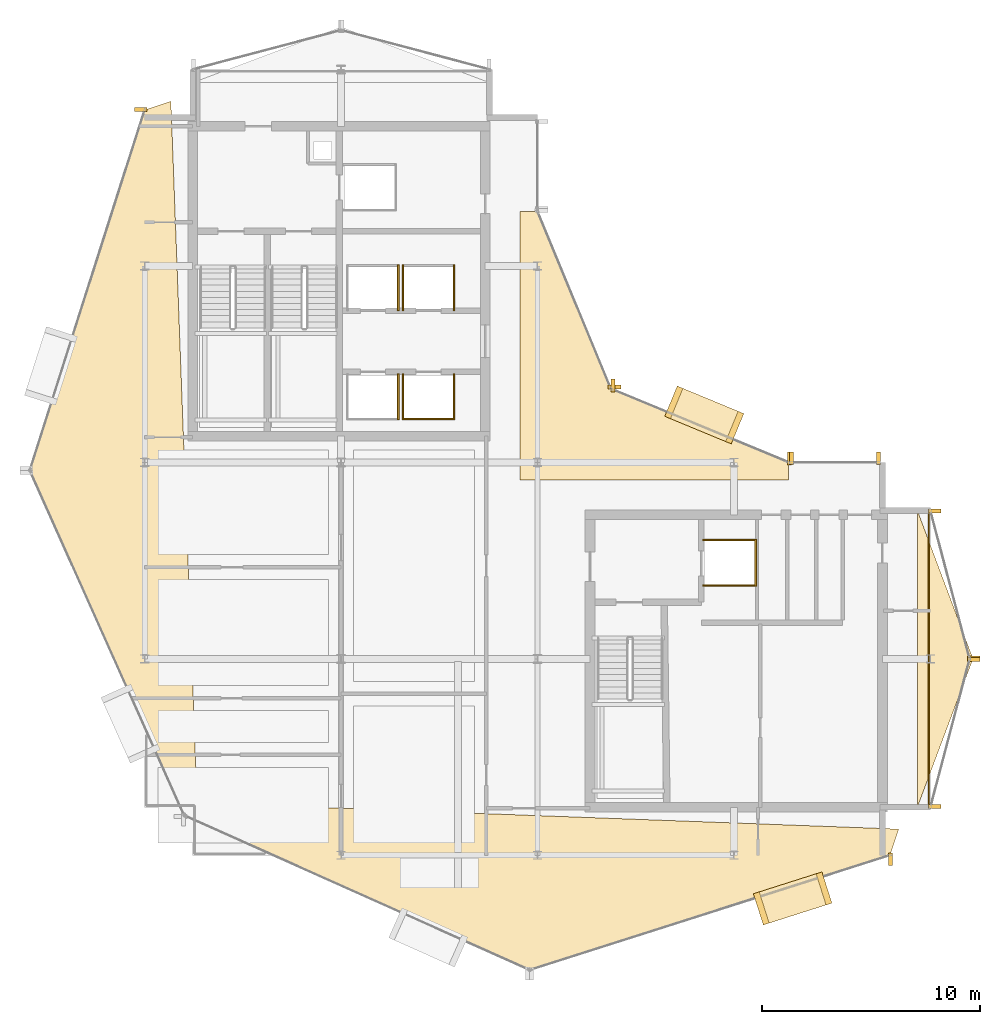
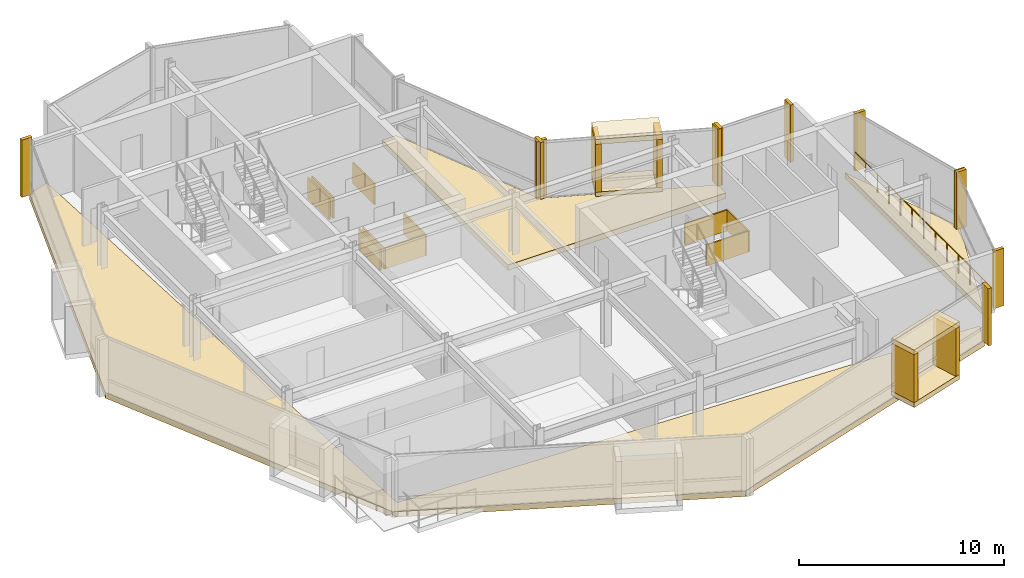
# One storey, part 18 of 19: 32 coverings, 1 railing.
"""IFC4 building model written with IfcOpenShell, lengths in metres."""

from ifc_helpers import new_model, si_unit, direction, frame, origin, origin_2d, place, context, subcontext, project, spatial, polyline, rectangle, circle, outline, extrude, material, layer, layer_set, type_object, element, save


model = new_model("IFC4")

# Units and contexts
model_context = context("Model", 3, precision=1e-05, world=origin(), true_north=direction((0.0, 1.0)))
body_context = subcontext(model_context, "Body", "Model", "MODEL_VIEW")
ifc_project = project(units=[si_unit("LENGTHUNIT", "METRE"), si_unit("AREAUNIT", "SQUARE_METRE"), si_unit("VOLUMEUNIT", "CUBIC_METRE"), si_unit("PLANEANGLEUNIT", "RADIAN"), si_unit("MASSUNIT", "GRAM", prefix="KILO")], contexts=[model_context])

# Site, building, storey
site_placement = place(None, origin())
site = spatial("IfcSite", under=ifc_project, at=site_placement, CompositionType="ELEMENT")
building_placement = place(site_placement, origin())
building = spatial("IfcBuilding", under=site, at=building_placement, Name="Solvaryn Broadcast Tower", CompositionType="ELEMENT")
storey_placement = place(building_placement, frame((0.0, 0.0, 240.800048828125)))
storey = spatial("IfcBuildingStorey", under=building, at=storey_placement, Name="L60", CompositionType="ELEMENT", Elevation=240.800048828125)

# Coverings
ifc_material_1 = material(Name="Fire-Rated Gypsum Shaftwall Liner", Category="concrete")
ifc_layer_1 = layer(ifc_material_1, 0.080078125)
ifc_layer_set_1 = layer_set([ifc_layer_1], Name="CV-SHAFT-LINER")
covering_type_1 = type_object("IfcCoveringType", Name="CV-SHAFT-LINER", PredefinedType="CLADDING", material=ifc_layer_set_1)
covering_1_placement = place(storey_placement, frame((20.614990234375, 30.0, 0.0), z_axis=(0.0, 0.0, 1.0), x_axis=(1.0, 0.0, 0.0)))
element("IfcCovering", 1, at=covering_1_placement, inside=storey, type_object=covering_type_1, Name="L60 PH1 Hoistway Shaft Liner East", PredefinedType="CLADDING", context=body_context, shape_type="SweptSolid", body=[
    extrude(rectangle(XDim=0.080078125, YDim=2.110107421875, at=origin_2d()), origin(), (0.0, 0.0, 1.0), 1.25),
])
covering_2_placement = place(storey_placement, frame((22.0, 28.985107421875, 0.0), z_axis=(0.0, 0.0, 1.0), x_axis=(1.0, 0.0, 0.0)))
element("IfcCovering", 2, at=covering_2_placement, inside=storey, type_object=covering_type_1, Name="L60 PH2 Hoistway Shaft Liner South", PredefinedType="CLADDING", context=body_context, shape_type="SweptSolid", body=[
    extrude(rectangle(XDim=2.409912109375, YDim=0.080078125, at=origin_2d()), origin(), (0.0, 0.0, 1.0), 1.25),
])
for number, where, z_axis, x_axis, name in (
    (3, (23.1650390625, 30.0, 0.0), (0.0, 0.0, 1.0), (1.0, 0.0, 0.0), "L60 PH2 Hoistway Shaft Liner East"),
    (4, (20.8349609375, 30.0, 0.0), (0.0, 0.0, 1.0), (1.0, 0.0, 0.0), "L60 PH2 Hoistway Shaft Liner West"),
    (5, (20.614990234375, 35.0, 0.0), (0.0, 0.0, 1.0), (1.0, 0.0, 0.0), "L60 PH3 Hoistway Shaft Liner East"),
    (6, (23.1650390625, 35.0, 0.0), (0.0, 0.0, 1.0), (1.0, 0.0, 0.0), "L60 PH4 Hoistway Shaft Liner East"),
    (7, (20.8349609375, 35.0, 0.0), (0.0, 0.0, 1.0), (1.0, 0.0, 0.0), "L60 PH4 Hoistway Shaft Liner West"),
):
    element("IfcCovering", number, at=place(storey_placement, frame(where, z_axis=z_axis, x_axis=x_axis)), inside=storey, type_object=covering_type_1, Name=name, PredefinedType="CLADDING", context=body_context, shape_type="SweptSolid", body=[
        extrude(rectangle(XDim=0.080078125, YDim=2.110107421875, at=origin_2d()), origin(), (0.0, 0.0, 1.0), 1.25),
    ])
for number, where, z_axis, x_axis, name in (
    (8, (35.800048828125, 23.43994140625, 0.0), (0.0, 0.0, 1.0), (1.0, 0.0, 0.0), "L60 FL2 Hoistway Shaft Liner North"),
    (9, (35.800048828125, 21.360107421875, 0.0), (0.0, 0.0, 1.0), (1.0, 0.0, 0.0), "L60 FL2 Hoistway Shaft Liner South"),
):
    element("IfcCovering", number, at=place(storey_placement, frame(where, z_axis=z_axis, x_axis=x_axis)), inside=storey, type_object=covering_type_1, Name=name, PredefinedType="CLADDING", context=body_context, shape_type="SweptSolid", body=[
        extrude(rectangle(XDim=2.4599609375, YDim=0.080078125, at=origin_2d()), origin(), (0.0, 0.0, 1.0), 1.25),
    ])
covering_3_placement = place(storey_placement, frame((36.989990234375, 22.39990234375, 0.0), z_axis=(0.0, 0.0, 1.0), x_axis=(1.0, 0.0, 0.0)))
element("IfcCovering", 10, at=covering_3_placement, inside=storey, type_object=covering_type_1, Name="L60 FL2 Hoistway Shaft Liner East", PredefinedType="CLADDING", context=body_context, shape_type="SweptSolid", body=[
    extrude(rectangle(XDim=0.080078125, YDim=2.159912109375, at=origin_2d()), origin(), (0.0, 0.0, 1.0), 1.25),
])
ifc_material_2 = material(Name="Glazed Architectural Terracotta Rainscreen Cladding", Category="masonry")
ifc_layer_2 = layer(ifc_material_2, 0.280029296875)
ifc_layer_set_2 = layer_set([ifc_layer_2], Name="CV-TC-CLAD")
covering_type_2 = type_object("IfcCoveringType", Name="CV-TC-CLAD", PredefinedType="CLADDING", material=ifc_layer_set_2)
for number, where, z_axis, x_axis, name in (
    (11, (38.68603515625, 7.02197265625, 3.1298828125), (0.0, 0.0, 1.0), (0.952820541996, 0.303534206887, 0.0), "L60 Projecting Stone Window Box Hood 4"),
    (12, (38.68603515625, 7.02197265625, -0.01025390625), (0.0, 0.0, 1.0), (0.952820541996, 0.303534206887, 0.0), "L60 Projecting Stone Window Box Sill 4"),
):
    element("IfcCovering", number, at=place(storey_placement, frame(where, z_axis=z_axis, x_axis=x_axis)), inside=storey, type_object=covering_type_2, Name=name, PredefinedType="CLADDING", context=body_context, shape_type="SweptSolid", body=[
        extrude(rectangle(XDim=3.300048828125, YDim=1.5, at=origin_2d()), origin(), (0.0, 0.0, 1.0), 0.300048828125),
    ])
for number, where, z_axis, x_axis, name in (
    (13, (37.247314453125, 6.563720703125, 0.27978515625), (0.0, 0.0, 1.0), (0.952820541996, 0.303534206887, 0.0), "L60 Projecting Stone Window Box Cheek 4-1"),
    (14, (40.124755859375, 7.480224609375, 0.27978515625), (0.0, 0.0, 1.0), (0.952820541996, 0.303534206887, 0.0), "L60 Projecting Stone Window Box Cheek 4-2"),
):
    element("IfcCovering", number, at=place(storey_placement, frame(where, z_axis=z_axis, x_axis=x_axis)), inside=storey, type_object=covering_type_2, Name=name, PredefinedType="CLADDING", context=body_context, shape_type="SweptSolid", body=[
        extrude(rectangle(XDim=0.280029296875, YDim=1.5, at=origin_2d()), origin(), (0.0, 0.0, 1.0), 2.860107421875),
    ])
for number, where, z_axis, x_axis, name in (
    (15, (34.636962890625, 29.174072265625, 3.1298828125), (0.0, 0.0, 1.0), (-0.923879532511, 0.382683432365, 0.0), "L60 Projecting Stone Window Box Hood 5"),
    (16, (34.636962890625, 29.174072265625, -0.01025390625), (0.0, 0.0, 1.0), (-0.923879532511, 0.382683432365, 0.0), "L60 Projecting Stone Window Box Sill 5"),
):
    element("IfcCovering", number, at=place(storey_placement, frame(where, z_axis=z_axis, x_axis=x_axis)), inside=storey, type_object=covering_type_2, Name=name, PredefinedType="CLADDING", context=body_context, shape_type="SweptSolid", body=[
        extrude(rectangle(XDim=3.300048828125, YDim=1.5, at=origin_2d()), origin(), (0.0, 0.0, 1.0), 0.300048828125),
    ])
for number, where, z_axis, x_axis, name in (
    (17, (36.031982421875, 28.59619140625, 0.27978515625), (0.0, 0.0, 1.0), (-0.923879532511, 0.382683432365, 0.0), "L60 Projecting Stone Window Box Cheek 5-1"),
    (18, (33.241943359375, 29.751953125, 0.27978515625), (0.0, 0.0, 1.0), (-0.923879532511, 0.382683432365, 0.0), "L60 Projecting Stone Window Box Cheek 5-2"),
):
    element("IfcCovering", number, at=place(storey_placement, frame(where, z_axis=z_axis, x_axis=x_axis)), inside=storey, type_object=covering_type_2, Name=name, PredefinedType="CLADDING", context=body_context, shape_type="SweptSolid", body=[
        extrude(rectangle(XDim=0.280029296875, YDim=1.5, at=origin_2d()), origin(), (0.0, 0.0, 1.0), 2.860107421875),
    ])
ifc_material_3 = material(Name="Extruded Architectural Terracotta Fin", Category="masonry")
ifc_layer_3 = layer(ifc_material_3, 0.179931640625)
ifc_layer_set_3 = layer_set([ifc_layer_3], Name="CV-TC-FIN")
covering_type_3 = type_object("IfcCoveringType", Name="CV-TC-FIN", PredefinedType="USERDEFINED", material=ifc_layer_set_3)
covering_4_placement = place(storey_placement, frame((8.819091796875, 43.17529296875, 0.0), z_axis=(0.0, 0.0, 1.0), x_axis=(1.0, 0.0, 0.0)))
element("IfcCovering", 19, at=covering_4_placement, inside=storey, type_object=covering_type_3, Name="L60 Terracotta Vertical Fin FIN-L60-DR1-M00", ObjectType="FIN", PredefinedType="USERDEFINED", context=body_context, shape_type="SweptSolid", body=[
    extrude(rectangle(XDim=0.580078125, YDim=0.179931640625, at=origin_2d()), origin(), (0.0, 0.0, 1.0), 3.419921875),
])
for number, where, z_axis, x_axis, name in (
    (20, (43.17529296875, 8.819091796875, 0.0), (0.0, 0.0, 1.0), (1.0, 0.0, 0.0), "L60 Terracotta Vertical Fin FIN-L60-DR4-M01"),
    (21, (38.541259765625, 27.177978515625, 0.0), (0.0, 0.0, 1.0), (1.0, 0.0, 0.0), "L60 Terracotta Vertical Fin FIN-L60-CN1-M00"),
    (22, (30.464599609375, 30.52294921875, 0.0), (0.0, 0.0, 1.0), (1.0, 0.0, 0.0), "L60 Terracotta Vertical Fin FIN-L60-CN1-M01"),
):
    element("IfcCovering", number, at=place(storey_placement, frame(where, z_axis=z_axis, x_axis=x_axis)), inside=storey, type_object=covering_type_3, Name=name, ObjectType="FIN", PredefinedType="USERDEFINED", context=body_context, shape_type="SweptSolid", body=[
        extrude(rectangle(XDim=0.179931640625, YDim=0.580078125, at=origin_2d()), origin(), (0.0, 0.0, 1.0), 3.419921875),
    ])
for number, where, z_axis, x_axis, name in (
    (23, (30.52294921875, 30.464599609375, 0.0), (0.0, 0.0, 1.0), (1.0, 0.0, 0.0), "L60 Terracotta Vertical Fin FIN-L60-CN2-M00"),
    (24, (45.1953125, 24.77099609375, 0.0), (0.0, 0.0, 1.0), (1.0, 0.0, 0.0), "L60 Terracotta Vertical Fin FIN-L60-ET1-M00"),
    (25, (46.979736328125, 18.029052734375, 0.0), (0.0, 0.0, 1.0), (1.0, 0.0, 0.0), "L60 Terracotta Vertical Fin FIN-L60-ET1-M01"),
    (26, (46.979736328125, 17.970947265625, 0.0), (0.0, 0.0, 1.0), (1.0, 0.0, 0.0), "L60 Terracotta Vertical Fin FIN-L60-ET2-M00"),
    (27, (45.1953125, 11.22900390625, 0.0), (0.0, 0.0, 1.0), (1.0, 0.0, 0.0), "L60 Terracotta Vertical Fin FIN-L60-ET2-M01"),
):
    element("IfcCovering", number, at=place(storey_placement, frame(where, z_axis=z_axis, x_axis=x_axis)), inside=storey, type_object=covering_type_3, Name=name, ObjectType="FIN", PredefinedType="USERDEFINED", context=body_context, shape_type="SweptSolid", body=[
        extrude(rectangle(XDim=0.580078125, YDim=0.179931640625, at=origin_2d()), origin(), (0.0, 0.0, 1.0), 3.419921875),
    ])
for number, where, z_axis, x_axis, name in (
    (28, (38.6298828125, 27.1875, 0.0), (0.0, 0.0, 1.0), (1.0, 0.0, 0.0), "L60 Terracotta Vertical Fin FIN-L60-IH-M00"),
    (29, (42.6201171875, 27.1875, 0.0), (0.0, 0.0, 1.0), (1.0, 0.0, 0.0), "L60 Terracotta Vertical Fin FIN-L60-IH-M01"),
):
    element("IfcCovering", number, at=place(storey_placement, frame(where, z_axis=z_axis, x_axis=x_axis)), inside=storey, type_object=covering_type_3, Name=name, ObjectType="FIN", PredefinedType="USERDEFINED", context=body_context, shape_type="SweptSolid", body=[
        extrude(rectangle(XDim=0.179931640625, YDim=0.580078125, at=origin_2d()), origin(), (0.0, 0.0, 1.0), 3.419921875),
    ])
ifc_material_4 = material(Name="Sculpted Architectural Terracotta Wave Fascia", Category="masonry")
ifc_layer_4 = layer(ifc_material_4, 0.340087890625)
ifc_layer_set_4 = layer_set([ifc_layer_4], Name="CV-WAVE-TRAY")
covering_type_4 = type_object("IfcCoveringType", Name="CV-WAVE-TRAY", PredefinedType="CLADDING", material=ifc_layer_set_4)
covering_5_placement = place(storey_placement, frame((0.0, 0.0, -0.300048828125)))
element("IfcCovering", 30, at=covering_5_placement, inside=storey, type_object=covering_type_4, Name="L60 Stepped Cylindrical Drum Floor Apron", PredefinedType="CLADDING", context=body_context, shape_type="SweptSolid", body=[
    extrude(outline(polyline([(10.199951171875, 43.549072265625), (9.0, 43.14892578125), (3.738037109375, 26.635986328125), (10.81689453125, 10.81689453125), (26.635986328125, 3.738037109375), (43.14892578125, 9.0), (43.14892578125, 9.0), (43.549072265625, 10.199951171875), (11.39990234375, 11.39990234375), (10.199951171875, 43.549072265625)])), origin(), (0.0, 0.0, 1.0), 0.330078125),
])
covering_6_placement = place(storey_placement, frame((0.0, 0.0, -0.300048828125)))
element("IfcCovering", 31, at=covering_6_placement, inside=storey, type_object=covering_type_4, Name="L60 Concave Canyon Floor Apron", PredefinedType="CLADDING", context=body_context, shape_type="SweptSolid", body=[
    extrude(outline(polyline([(26.199951171875, 26.199951171875), (38.5, 26.199951171875), (38.5, 27.0), (30.367919921875, 30.367919921875), (27.0, 38.5), (26.199951171875, 38.5), (26.199951171875, 26.199951171875)])), origin(), (0.0, 0.0, 1.0), 0.330078125),
])
covering_7_placement = place(storey_placement, frame((0.0, 0.0, -0.300048828125)))
element("IfcCovering", 32, at=covering_7_placement, inside=storey, type_object=covering_type_4, Name="L60 East Curved Wing Deck", PredefinedType="CLADDING", context=body_context, shape_type="SweptSolid", body=[
    extrude(outline(polyline([(44.39990234375, 11.199951171875), (46.949951171875, 18.0), (44.39990234375, 24.800048828125), (44.39990234375, 11.199951171875)])), origin(), (0.0, 0.0, 1.0), 0.330078125),
])

# Railing
ifc_material_5 = material(Name="Stainless Steel and Laminated Glass Guard", Category="steel")
railing_type = type_object("IfcRailingType", Name="RL-TER-1150", PredefinedType="BALUSTRADE", material=ifc_material_5)
railing_placement = place(storey_placement, frame((44.919921875, 11.199951171875, 0.0)))
element("IfcRailing", 33, at=railing_placement, inside=storey, type_object=railing_type, Name="L60 East Wing Spandrel Edge Guard", PredefinedType="BALUSTRADE", context=body_context, shape_type="SweptSolid", body=[
    extrude(circle(Radius=0.02392578125, at=origin_2d()), frame((0.0, 0.0, 1.1259765625), z_axis=(0.0, 1.0, 0.0), x_axis=(-1.0, 0.0, 0.0)), (0.0, 0.0, 1.0), 13.60009765625),
    extrude(circle(Radius=0.02099609375, at=origin_2d()), origin(), (0.0, 0.0, 1.0), 1.101806640625),
    extrude(circle(Radius=0.02099609375, at=origin_2d()), frame((0.0, 1.13330078125, 0.0)), (0.0, 0.0, 1.0), 1.101806640625),
    extrude(circle(Radius=0.02099609375, at=origin_2d()), frame((0.0, 2.2666015625, 0.0)), (0.0, 0.0, 1.0), 1.101806640625),
    extrude(circle(Radius=0.02099609375, at=origin_2d()), frame((0.0, 3.39990234375, 0.0)), (0.0, 0.0, 1.0), 1.101806640625),
    extrude(circle(Radius=0.02099609375, at=origin_2d()), frame((0.0, 4.533447265625, 0.0)), (0.0, 0.0, 1.0), 1.101806640625),
    extrude(circle(Radius=0.02099609375, at=origin_2d()), frame((0.0, 5.666748046875, 0.0)), (0.0, 0.0, 1.0), 1.101806640625),
    extrude(circle(Radius=0.02099609375, at=origin_2d()), frame((0.0, 6.800048828125, 0.0)), (0.0, 0.0, 1.0), 1.101806640625),
    extrude(circle(Radius=0.02099609375, at=origin_2d()), frame((0.0, 7.933349609375, 0.0)), (0.0, 0.0, 1.0), 1.101806640625),
    extrude(circle(Radius=0.02099609375, at=origin_2d()), frame((0.0, 9.066650390625, 0.0)), (0.0, 0.0, 1.0), 1.101806640625),
    extrude(circle(Radius=0.02099609375, at=origin_2d()), frame((0.0, 10.2001953125, 0.0)), (0.0, 0.0, 1.0), 1.101806640625),
    extrude(circle(Radius=0.02099609375, at=origin_2d()), frame((0.0, 11.33349609375, 0.0)), (0.0, 0.0, 1.0), 1.101806640625),
    extrude(circle(Radius=0.02099609375, at=origin_2d()), frame((0.0, 12.466796875, 0.0)), (0.0, 0.0, 1.0), 1.101806640625),
    extrude(circle(Radius=0.02099609375, at=origin_2d()), frame((0.0, 13.60009765625, 0.0)), (0.0, 0.0, 1.0), 1.101806640625),
])

save(model, "model.ifc")
